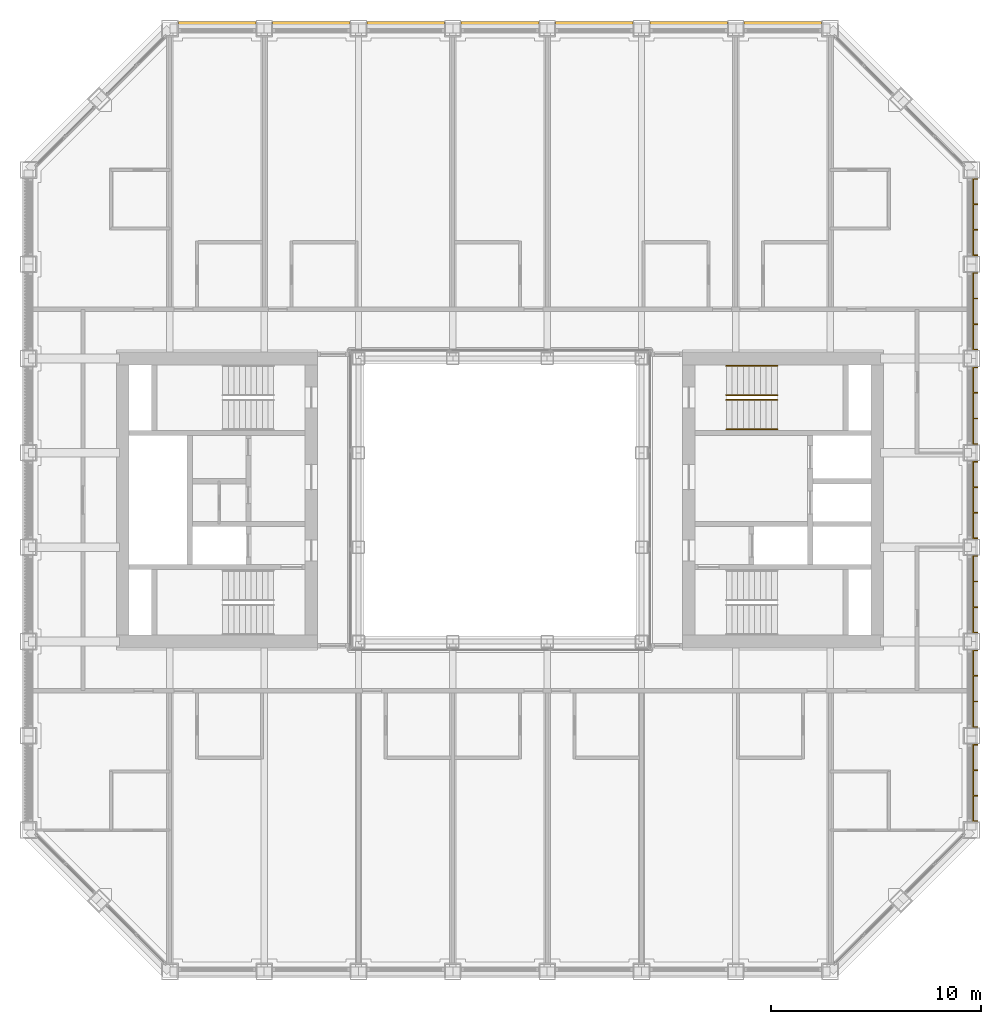
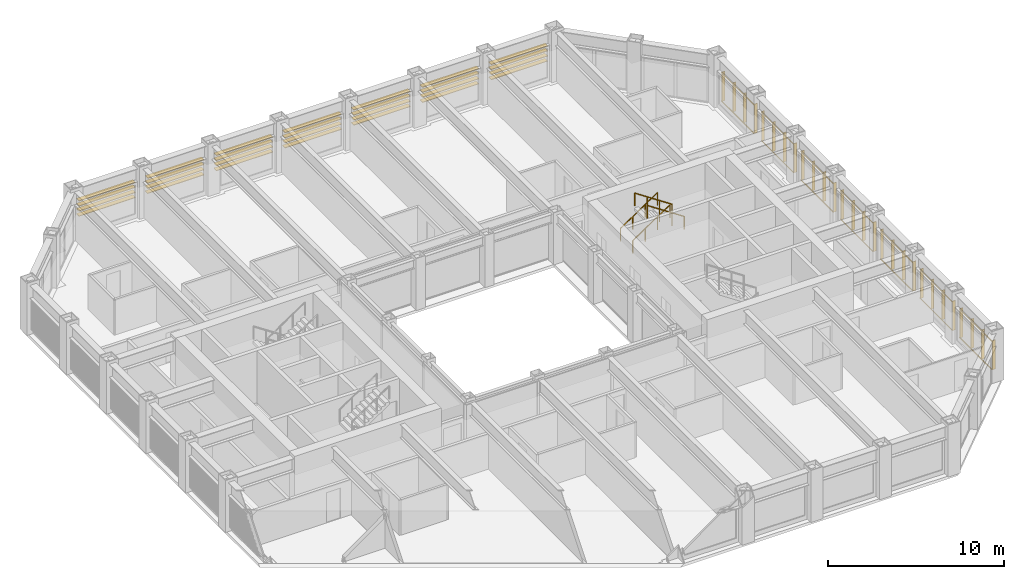
# One storey, part 17 of 17: 4 railings, 2 shading devices.
"""IFC4 building model written with IfcOpenShell, lengths in metres."""

from ifc_helpers import new_model, si_unit, direction, frame, origin, origin_2d, place, context, subcontext, project, spatial, rectangle, circle, extrude, material, type_object, element, save


model = new_model("IFC4")

# Units and contexts
model_context = context("Model", 3, precision=1e-05, world=origin(), true_north=direction((0.0, 1.0)))
body_context = subcontext(model_context, "Body", "Model", "MODEL_VIEW")
ifc_project = project(units=[si_unit("LENGTHUNIT", "METRE"), si_unit("AREAUNIT", "SQUARE_METRE"), si_unit("VOLUMEUNIT", "CUBIC_METRE"), si_unit("PLANEANGLEUNIT", "RADIAN"), si_unit("MASSUNIT", "GRAM", prefix="KILO")], contexts=[model_context])

# Site, building, storey
site_placement = place(None, origin())
site = spatial("IfcSite", under=ifc_project, at=site_placement, CompositionType="ELEMENT")
building_placement = place(site_placement, origin())
building = spatial("IfcBuilding", under=site, at=building_placement, Name="Msasa Ring Tower", CompositionType="ELEMENT")
storey_placement = place(building_placement, frame((0.0, 0.0, 158.0)))
storey = spatial("IfcBuildingStorey", under=building, at=storey_placement, Name="L41", CompositionType="ELEMENT", Elevation=158.0)

# Shading device
ifc_material_1 = material(Name="Extruded terracotta on aluminium carriers", Category="masonry")
shading_device_type_1 = type_object("IfcShadingDeviceType", Name="BS2 TERRACOTTA FIN SCREEN 40x200 AT 1350", PredefinedType="USERDEFINED", material=ifc_material_1)
shading_device_1_placement = place(storey_placement, origin())
element("IfcShadingDevice", 1, at=shading_device_1_placement, inside=storey, type_object=shading_device_type_1, Name="Terracotta fin screen E L41", ObjectType="BAGUETTE", PredefinedType="USERDEFINED", context=body_context, shape_type="SweptSolid", body=[
    extrude(rectangle(XDim=0.06005859375, YDim=0.0400390625, at=origin_2d()), frame((22.580078125, -15.35009765625, 0.330078125), z_axis=(0.0, 1.0, 0.0), x_axis=(0.0, 0.0, 1.0)), (0.0, 0.0, 1.0), 3.699951171875),
    extrude(rectangle(XDim=0.06005859375, YDim=0.0400390625, at=origin_2d()), frame((22.580078125, -15.35009765625, 2.299072265625), z_axis=(0.0, 1.0, 0.0), x_axis=(0.0, 0.0, 1.0)), (0.0, 0.0, 1.0), 3.699951171875),
    extrude(rectangle(XDim=0.0400390625, YDim=0.199951171875, at=origin_2d()), frame((22.695068359375, -15.330078125, 0.300048828125), z_axis=(0.0, 0.0, 1.0), x_axis=(0.0, 1.0, 0.0)), (0.0, 0.0, 1.0), 2.029052734375),
    extrude(rectangle(XDim=0.0400390625, YDim=0.199951171875, at=origin_2d()), frame((22.695068359375, -14.110107421875, 0.300048828125), z_axis=(0.0, 0.0, 1.0), x_axis=(0.0, 1.0, 0.0)), (0.0, 0.0, 1.0), 2.029052734375),
    extrude(rectangle(XDim=0.0400390625, YDim=0.199951171875, at=origin_2d()), frame((22.695068359375, -12.889892578125, 0.300048828125), z_axis=(0.0, 0.0, 1.0), x_axis=(0.0, 1.0, 0.0)), (0.0, 0.0, 1.0), 2.029052734375),
    extrude(rectangle(XDim=0.0400390625, YDim=0.199951171875, at=origin_2d()), frame((22.695068359375, -11.669921875, 0.300048828125), z_axis=(0.0, 0.0, 1.0), x_axis=(0.0, 1.0, 0.0)), (0.0, 0.0, 1.0), 2.029052734375),
    extrude(rectangle(XDim=0.06005859375, YDim=0.0400390625, at=origin_2d()), frame((22.580078125, -10.85009765625, 0.330078125), z_axis=(0.0, 1.0, 0.0), x_axis=(0.0, 0.0, 1.0)), (0.0, 0.0, 1.0), 3.699951171875),
    extrude(rectangle(XDim=0.06005859375, YDim=0.0400390625, at=origin_2d()), frame((22.580078125, -10.85009765625, 2.299072265625), z_axis=(0.0, 1.0, 0.0), x_axis=(0.0, 0.0, 1.0)), (0.0, 0.0, 1.0), 3.699951171875),
    extrude(rectangle(XDim=0.0400390625, YDim=0.199951171875, at=origin_2d()), frame((22.695068359375, -10.830078125, 0.300048828125), z_axis=(0.0, 0.0, 1.0), x_axis=(0.0, 1.0, 0.0)), (0.0, 0.0, 1.0), 2.029052734375),
    extrude(rectangle(XDim=0.0400390625, YDim=0.199951171875, at=origin_2d()), frame((22.695068359375, -9.610107421875, 0.300048828125), z_axis=(0.0, 0.0, 1.0), x_axis=(0.0, 1.0, 0.0)), (0.0, 0.0, 1.0), 2.029052734375),
    extrude(rectangle(XDim=0.0400390625, YDim=0.199951171875, at=origin_2d()), frame((22.695068359375, -8.389892578125, 0.300048828125), z_axis=(0.0, 0.0, 1.0), x_axis=(0.0, 1.0, 0.0)), (0.0, 0.0, 1.0), 2.029052734375),
    extrude(rectangle(XDim=0.0400390625, YDim=0.199951171875, at=origin_2d()), frame((22.695068359375, -7.169921875, 0.300048828125), z_axis=(0.0, 0.0, 1.0), x_axis=(0.0, 1.0, 0.0)), (0.0, 0.0, 1.0), 2.029052734375),
    extrude(rectangle(XDim=0.06005859375, YDim=0.0400390625, at=origin_2d()), frame((22.580078125, -6.35009765625, 0.330078125), z_axis=(0.0, 1.0, 0.0), x_axis=(0.0, 0.0, 1.0)), (0.0, 0.0, 1.0), 3.699951171875),
    extrude(rectangle(XDim=0.06005859375, YDim=0.0400390625, at=origin_2d()), frame((22.580078125, -6.35009765625, 2.299072265625), z_axis=(0.0, 1.0, 0.0), x_axis=(0.0, 0.0, 1.0)), (0.0, 0.0, 1.0), 3.699951171875),
    extrude(rectangle(XDim=0.0400390625, YDim=0.199951171875, at=origin_2d()), frame((22.695068359375, -6.330078125, 0.300048828125), z_axis=(0.0, 0.0, 1.0), x_axis=(0.0, 1.0, 0.0)), (0.0, 0.0, 1.0), 2.029052734375),
    extrude(rectangle(XDim=0.0400390625, YDim=0.199951171875, at=origin_2d()), frame((22.695068359375, -5.110107421875, 0.300048828125), z_axis=(0.0, 0.0, 1.0), x_axis=(0.0, 1.0, 0.0)), (0.0, 0.0, 1.0), 2.029052734375),
    extrude(rectangle(XDim=0.0400390625, YDim=0.199951171875, at=origin_2d()), frame((22.695068359375, -3.889892578125, 0.300048828125), z_axis=(0.0, 0.0, 1.0), x_axis=(0.0, 1.0, 0.0)), (0.0, 0.0, 1.0), 2.029052734375),
    extrude(rectangle(XDim=0.0400390625, YDim=0.199951171875, at=origin_2d()), frame((22.695068359375, -2.669921875, 0.300048828125), z_axis=(0.0, 0.0, 1.0), x_axis=(0.0, 1.0, 0.0)), (0.0, 0.0, 1.0), 2.029052734375),
    extrude(rectangle(XDim=0.06005859375, YDim=0.0400390625, at=origin_2d()), frame((22.580078125, -1.85009765625, 0.330078125), z_axis=(0.0, 1.0, 0.0), x_axis=(0.0, 0.0, 1.0)), (0.0, 0.0, 1.0), 3.699951171875),
    extrude(rectangle(XDim=0.06005859375, YDim=0.0400390625, at=origin_2d()), frame((22.580078125, -1.85009765625, 2.299072265625), z_axis=(0.0, 1.0, 0.0), x_axis=(0.0, 0.0, 1.0)), (0.0, 0.0, 1.0), 3.699951171875),
    extrude(rectangle(XDim=0.0400390625, YDim=0.199951171875, at=origin_2d()), frame((22.695068359375, -1.830078125, 0.300048828125), z_axis=(0.0, 0.0, 1.0), x_axis=(0.0, 1.0, 0.0)), (0.0, 0.0, 1.0), 2.029052734375),
    extrude(rectangle(XDim=0.0400390625, YDim=0.199951171875, at=origin_2d()), frame((22.695068359375, -0.610107421875, 0.300048828125), z_axis=(0.0, 0.0, 1.0), x_axis=(0.0, 1.0, 0.0)), (0.0, 0.0, 1.0), 2.029052734375),
    extrude(rectangle(XDim=0.0400390625, YDim=0.199951171875, at=origin_2d()), frame((22.695068359375, 0.610107421875, 0.300048828125), z_axis=(0.0, 0.0, 1.0), x_axis=(0.0, 1.0, 0.0)), (0.0, 0.0, 1.0), 2.029052734375),
    extrude(rectangle(XDim=0.0400390625, YDim=0.199951171875, at=origin_2d()), frame((22.695068359375, 1.830078125, 0.300048828125), z_axis=(0.0, 0.0, 1.0), x_axis=(0.0, 1.0, 0.0)), (0.0, 0.0, 1.0), 2.029052734375),
    extrude(rectangle(XDim=0.06005859375, YDim=0.0400390625, at=origin_2d()), frame((22.580078125, 2.64990234375, 0.330078125), z_axis=(0.0, 1.0, 0.0), x_axis=(0.0, 0.0, 1.0)), (0.0, 0.0, 1.0), 3.699951171875),
    extrude(rectangle(XDim=0.06005859375, YDim=0.0400390625, at=origin_2d()), frame((22.580078125, 2.64990234375, 2.299072265625), z_axis=(0.0, 1.0, 0.0), x_axis=(0.0, 0.0, 1.0)), (0.0, 0.0, 1.0), 3.699951171875),
    extrude(rectangle(XDim=0.0400390625, YDim=0.199951171875, at=origin_2d()), frame((22.695068359375, 2.669921875, 0.300048828125), z_axis=(0.0, 0.0, 1.0), x_axis=(0.0, 1.0, 0.0)), (0.0, 0.0, 1.0), 2.029052734375),
    extrude(rectangle(XDim=0.0400390625, YDim=0.199951171875, at=origin_2d()), frame((22.695068359375, 3.889892578125, 0.300048828125), z_axis=(0.0, 0.0, 1.0), x_axis=(0.0, 1.0, 0.0)), (0.0, 0.0, 1.0), 2.029052734375),
    extrude(rectangle(XDim=0.0400390625, YDim=0.199951171875, at=origin_2d()), frame((22.695068359375, 5.110107421875, 0.300048828125), z_axis=(0.0, 0.0, 1.0), x_axis=(0.0, 1.0, 0.0)), (0.0, 0.0, 1.0), 2.029052734375),
    extrude(rectangle(XDim=0.0400390625, YDim=0.199951171875, at=origin_2d()), frame((22.695068359375, 6.330078125, 0.300048828125), z_axis=(0.0, 0.0, 1.0), x_axis=(0.0, 1.0, 0.0)), (0.0, 0.0, 1.0), 2.029052734375),
    extrude(rectangle(XDim=0.06005859375, YDim=0.0400390625, at=origin_2d()), frame((22.580078125, 7.14990234375, 0.330078125), z_axis=(0.0, 1.0, 0.0), x_axis=(0.0, 0.0, 1.0)), (0.0, 0.0, 1.0), 3.699951171875),
    extrude(rectangle(XDim=0.06005859375, YDim=0.0400390625, at=origin_2d()), frame((22.580078125, 7.14990234375, 2.299072265625), z_axis=(0.0, 1.0, 0.0), x_axis=(0.0, 0.0, 1.0)), (0.0, 0.0, 1.0), 3.699951171875),
    extrude(rectangle(XDim=0.0400390625, YDim=0.199951171875, at=origin_2d()), frame((22.695068359375, 7.169921875, 0.300048828125), z_axis=(0.0, 0.0, 1.0), x_axis=(0.0, 1.0, 0.0)), (0.0, 0.0, 1.0), 2.029052734375),
    extrude(rectangle(XDim=0.0400390625, YDim=0.199951171875, at=origin_2d()), frame((22.695068359375, 8.389892578125, 0.300048828125), z_axis=(0.0, 0.0, 1.0), x_axis=(0.0, 1.0, 0.0)), (0.0, 0.0, 1.0), 2.029052734375),
    extrude(rectangle(XDim=0.0400390625, YDim=0.199951171875, at=origin_2d()), frame((22.695068359375, 9.610107421875, 0.300048828125), z_axis=(0.0, 0.0, 1.0), x_axis=(0.0, 1.0, 0.0)), (0.0, 0.0, 1.0), 2.029052734375),
    extrude(rectangle(XDim=0.0400390625, YDim=0.199951171875, at=origin_2d()), frame((22.695068359375, 10.830078125, 0.300048828125), z_axis=(0.0, 0.0, 1.0), x_axis=(0.0, 1.0, 0.0)), (0.0, 0.0, 1.0), 2.029052734375),
    extrude(rectangle(XDim=0.06005859375, YDim=0.0400390625, at=origin_2d()), frame((22.580078125, 11.64990234375, 0.330078125), z_axis=(0.0, 1.0, 0.0), x_axis=(0.0, 0.0, 1.0)), (0.0, 0.0, 1.0), 3.699951171875),
    extrude(rectangle(XDim=0.06005859375, YDim=0.0400390625, at=origin_2d()), frame((22.580078125, 11.64990234375, 2.299072265625), z_axis=(0.0, 1.0, 0.0), x_axis=(0.0, 0.0, 1.0)), (0.0, 0.0, 1.0), 3.699951171875),
    extrude(rectangle(XDim=0.0400390625, YDim=0.199951171875, at=origin_2d()), frame((22.695068359375, 11.669921875, 0.300048828125), z_axis=(0.0, 0.0, 1.0), x_axis=(0.0, 1.0, 0.0)), (0.0, 0.0, 1.0), 2.029052734375),
    extrude(rectangle(XDim=0.0400390625, YDim=0.199951171875, at=origin_2d()), frame((22.695068359375, 12.889892578125, 0.300048828125), z_axis=(0.0, 0.0, 1.0), x_axis=(0.0, 1.0, 0.0)), (0.0, 0.0, 1.0), 2.029052734375),
    extrude(rectangle(XDim=0.0400390625, YDim=0.199951171875, at=origin_2d()), frame((22.695068359375, 14.110107421875, 0.300048828125), z_axis=(0.0, 0.0, 1.0), x_axis=(0.0, 1.0, 0.0)), (0.0, 0.0, 1.0), 2.029052734375),
    extrude(rectangle(XDim=0.0400390625, YDim=0.199951171875, at=origin_2d()), frame((22.695068359375, 15.330078125, 0.300048828125), z_axis=(0.0, 0.0, 1.0), x_axis=(0.0, 1.0, 0.0)), (0.0, 0.0, 1.0), 2.029052734375),
])

# Railings
ifc_material_2 = material(Name="Stainless steel", Category="steel")
railing_type = type_object("IfcRailingType", Name="HR1 HANDRAIL 900", PredefinedType="HANDRAIL", material=ifc_material_2)
for number, where, name in (
    (2, (10.800048828125, 5.0, 0.179931640625), "Handrail stair SEB L41 1"),
    (3, (10.800048828125, 6.39990234375, 0.179931640625), "Handrail stair SEB L41 2"),
):
    element("IfcRailing", number, at=place(storey_placement, frame(where)), inside=storey, type_object=railing_type, Name=name, PredefinedType="HANDRAIL", context=body_context, shape_type="SweptSolid", body=[
        extrude(circle(Radius=0.02392578125, at=origin_2d()), frame((0.0, 0.0, 0.8759765625), z_axis=(0.832024571796, 0.0, 0.554738778101), x_axis=(0.0, 1.0, 0.0)), (0.0, 0.0, 1.0), 2.92041015625),
        extrude(circle(Radius=0.02099609375, at=origin_2d()), origin(), (0.0, 0.0, 1.0), 0.851806640625),
        extrude(circle(Radius=0.02099609375, at=origin_2d()), frame((0.81005859375, 0.0, 0.5400390625)), (0.0, 0.0, 1.0), 0.851806640625),
        extrude(circle(Radius=0.02099609375, at=origin_2d()), frame((1.619873046875, 0.0, 1.080078125)), (0.0, 0.0, 1.0), 0.851806640625),
        extrude(circle(Radius=0.02099609375, at=origin_2d()), frame((2.429931640625, 0.0, 1.6201171875)), (0.0, 0.0, 1.0), 0.851806640625),
    ])
for number, where, name in (
    (4, (13.22998046875, 3.375, 1.97998046875), "Handrail stair SEB L41 3"),
    (5, (13.22998046875, 4.77490234375, 1.97998046875), "Handrail stair SEB L41 4"),
):
    element("IfcRailing", number, at=place(storey_placement, frame(where)), inside=storey, type_object=railing_type, Name=name, PredefinedType="HANDRAIL", context=body_context, shape_type="SweptSolid", body=[
        extrude(circle(Radius=0.02392578125, at=origin_2d()), frame((0.0, 0.0, 0.8759765625), z_axis=(-0.832024571796, 0.0, 0.554738778101), x_axis=(0.0, -1.0, 0.0)), (0.0, 0.0, 1.0), 2.92041015625),
        extrude(circle(Radius=0.02099609375, at=origin_2d()), origin(), (0.0, 0.0, 1.0), 0.851806640625),
        extrude(circle(Radius=0.02099609375, at=origin_2d()), frame((-0.81005859375, 0.0, 0.5400390625)), (0.0, 0.0, 1.0), 0.851806640625),
        extrude(circle(Radius=0.02099609375, at=origin_2d()), frame((-1.619873046875, 0.0, 1.080078125)), (0.0, 0.0, 1.0), 0.851806640625),
        extrude(circle(Radius=0.02099609375, at=origin_2d()), frame((-2.429931640625, 0.0, 1.6201171875)), (0.0, 0.0, 1.0), 0.851806640625),
    ])

# Shading device
ifc_material_3 = material(Name="Extruded terracotta blades", Category="masonry")
shading_device_type_2 = type_object("IfcShadingDeviceType", Name="SS1 TERRACOTTA SUNSHADE 4 BLADES 300x40 AT 350", PredefinedType="USERDEFINED", material=ifc_material_3)
shading_device_2_placement = place(storey_placement, origin())
element("IfcShadingDevice", 6, at=shading_device_2_placement, inside=storey, type_object=shading_device_type_2, Name="Terracotta sunshade N L41", ObjectType="SUNSHADE", PredefinedType="USERDEFINED", context=body_context, shape_type="SweptSolid", body=[
    extrude(rectangle(XDim=0.0400390625, YDim=0.300048828125, at=origin_2d()), frame((-15.35009765625, 22.679931640625, 2.30908203125), z_axis=(1.0, 0.0, 0.0), x_axis=(0.0, 0.0, 1.0)), (0.0, 0.0, 1.0), 3.699951171875),
    extrude(rectangle(XDim=0.0400390625, YDim=0.300048828125, at=origin_2d()), frame((-15.35009765625, 22.679931640625, 1.958984375), z_axis=(1.0, 0.0, 0.0), x_axis=(0.0, 0.0, 1.0)), (0.0, 0.0, 1.0), 3.699951171875),
    extrude(rectangle(XDim=0.0400390625, YDim=0.300048828125, at=origin_2d()), frame((-15.35009765625, 22.679931640625, 1.60888671875), z_axis=(1.0, 0.0, 0.0), x_axis=(0.0, 0.0, 1.0)), (0.0, 0.0, 1.0), 3.699951171875),
    extrude(rectangle(XDim=0.0400390625, YDim=0.300048828125, at=origin_2d()), frame((-15.35009765625, 22.679931640625, 1.259033203125), z_axis=(1.0, 0.0, 0.0), x_axis=(0.0, 0.0, 1.0)), (0.0, 0.0, 1.0), 3.699951171875),
    extrude(rectangle(XDim=0.0400390625, YDim=0.300048828125, at=origin_2d()), frame((-10.85009765625, 22.679931640625, 2.30908203125), z_axis=(1.0, 0.0, 0.0), x_axis=(0.0, 0.0, 1.0)), (0.0, 0.0, 1.0), 3.699951171875),
    extrude(rectangle(XDim=0.0400390625, YDim=0.300048828125, at=origin_2d()), frame((-10.85009765625, 22.679931640625, 1.958984375), z_axis=(1.0, 0.0, 0.0), x_axis=(0.0, 0.0, 1.0)), (0.0, 0.0, 1.0), 3.699951171875),
    extrude(rectangle(XDim=0.0400390625, YDim=0.300048828125, at=origin_2d()), frame((-10.85009765625, 22.679931640625, 1.60888671875), z_axis=(1.0, 0.0, 0.0), x_axis=(0.0, 0.0, 1.0)), (0.0, 0.0, 1.0), 3.699951171875),
    extrude(rectangle(XDim=0.0400390625, YDim=0.300048828125, at=origin_2d()), frame((-10.85009765625, 22.679931640625, 1.259033203125), z_axis=(1.0, 0.0, 0.0), x_axis=(0.0, 0.0, 1.0)), (0.0, 0.0, 1.0), 3.699951171875),
    extrude(rectangle(XDim=0.0400390625, YDim=0.300048828125, at=origin_2d()), frame((-6.35009765625, 22.679931640625, 2.30908203125), z_axis=(1.0, 0.0, 0.0), x_axis=(0.0, 0.0, 1.0)), (0.0, 0.0, 1.0), 3.699951171875),
    extrude(rectangle(XDim=0.0400390625, YDim=0.300048828125, at=origin_2d()), frame((-6.35009765625, 22.679931640625, 1.958984375), z_axis=(1.0, 0.0, 0.0), x_axis=(0.0, 0.0, 1.0)), (0.0, 0.0, 1.0), 3.699951171875),
    extrude(rectangle(XDim=0.0400390625, YDim=0.300048828125, at=origin_2d()), frame((-6.35009765625, 22.679931640625, 1.60888671875), z_axis=(1.0, 0.0, 0.0), x_axis=(0.0, 0.0, 1.0)), (0.0, 0.0, 1.0), 3.699951171875),
    extrude(rectangle(XDim=0.0400390625, YDim=0.300048828125, at=origin_2d()), frame((-6.35009765625, 22.679931640625, 1.259033203125), z_axis=(1.0, 0.0, 0.0), x_axis=(0.0, 0.0, 1.0)), (0.0, 0.0, 1.0), 3.699951171875),
    extrude(rectangle(XDim=0.0400390625, YDim=0.300048828125, at=origin_2d()), frame((-1.85009765625, 22.679931640625, 2.30908203125), z_axis=(1.0, 0.0, 0.0), x_axis=(0.0, 0.0, 1.0)), (0.0, 0.0, 1.0), 3.699951171875),
    extrude(rectangle(XDim=0.0400390625, YDim=0.300048828125, at=origin_2d()), frame((-1.85009765625, 22.679931640625, 1.958984375), z_axis=(1.0, 0.0, 0.0), x_axis=(0.0, 0.0, 1.0)), (0.0, 0.0, 1.0), 3.699951171875),
    extrude(rectangle(XDim=0.0400390625, YDim=0.300048828125, at=origin_2d()), frame((-1.85009765625, 22.679931640625, 1.60888671875), z_axis=(1.0, 0.0, 0.0), x_axis=(0.0, 0.0, 1.0)), (0.0, 0.0, 1.0), 3.699951171875),
    extrude(rectangle(XDim=0.0400390625, YDim=0.300048828125, at=origin_2d()), frame((-1.85009765625, 22.679931640625, 1.259033203125), z_axis=(1.0, 0.0, 0.0), x_axis=(0.0, 0.0, 1.0)), (0.0, 0.0, 1.0), 3.699951171875),
    extrude(rectangle(XDim=0.0400390625, YDim=0.300048828125, at=origin_2d()), frame((2.64990234375, 22.679931640625, 2.30908203125), z_axis=(1.0, 0.0, 0.0), x_axis=(0.0, 0.0, 1.0)), (0.0, 0.0, 1.0), 3.699951171875),
    extrude(rectangle(XDim=0.0400390625, YDim=0.300048828125, at=origin_2d()), frame((2.64990234375, 22.679931640625, 1.958984375), z_axis=(1.0, 0.0, 0.0), x_axis=(0.0, 0.0, 1.0)), (0.0, 0.0, 1.0), 3.699951171875),
    extrude(rectangle(XDim=0.0400390625, YDim=0.300048828125, at=origin_2d()), frame((2.64990234375, 22.679931640625, 1.60888671875), z_axis=(1.0, 0.0, 0.0), x_axis=(0.0, 0.0, 1.0)), (0.0, 0.0, 1.0), 3.699951171875),
    extrude(rectangle(XDim=0.0400390625, YDim=0.300048828125, at=origin_2d()), frame((2.64990234375, 22.679931640625, 1.259033203125), z_axis=(1.0, 0.0, 0.0), x_axis=(0.0, 0.0, 1.0)), (0.0, 0.0, 1.0), 3.699951171875),
    extrude(rectangle(XDim=0.0400390625, YDim=0.300048828125, at=origin_2d()), frame((7.14990234375, 22.679931640625, 2.30908203125), z_axis=(1.0, 0.0, 0.0), x_axis=(0.0, 0.0, 1.0)), (0.0, 0.0, 1.0), 3.699951171875),
    extrude(rectangle(XDim=0.0400390625, YDim=0.300048828125, at=origin_2d()), frame((7.14990234375, 22.679931640625, 1.958984375), z_axis=(1.0, 0.0, 0.0), x_axis=(0.0, 0.0, 1.0)), (0.0, 0.0, 1.0), 3.699951171875),
    extrude(rectangle(XDim=0.0400390625, YDim=0.300048828125, at=origin_2d()), frame((7.14990234375, 22.679931640625, 1.60888671875), z_axis=(1.0, 0.0, 0.0), x_axis=(0.0, 0.0, 1.0)), (0.0, 0.0, 1.0), 3.699951171875),
    extrude(rectangle(XDim=0.0400390625, YDim=0.300048828125, at=origin_2d()), frame((7.14990234375, 22.679931640625, 1.259033203125), z_axis=(1.0, 0.0, 0.0), x_axis=(0.0, 0.0, 1.0)), (0.0, 0.0, 1.0), 3.699951171875),
    extrude(rectangle(XDim=0.0400390625, YDim=0.300048828125, at=origin_2d()), frame((11.64990234375, 22.679931640625, 2.30908203125), z_axis=(1.0, 0.0, 0.0), x_axis=(0.0, 0.0, 1.0)), (0.0, 0.0, 1.0), 3.699951171875),
    extrude(rectangle(XDim=0.0400390625, YDim=0.300048828125, at=origin_2d()), frame((11.64990234375, 22.679931640625, 1.958984375), z_axis=(1.0, 0.0, 0.0), x_axis=(0.0, 0.0, 1.0)), (0.0, 0.0, 1.0), 3.699951171875),
    extrude(rectangle(XDim=0.0400390625, YDim=0.300048828125, at=origin_2d()), frame((11.64990234375, 22.679931640625, 1.60888671875), z_axis=(1.0, 0.0, 0.0), x_axis=(0.0, 0.0, 1.0)), (0.0, 0.0, 1.0), 3.699951171875),
    extrude(rectangle(XDim=0.0400390625, YDim=0.300048828125, at=origin_2d()), frame((11.64990234375, 22.679931640625, 1.259033203125), z_axis=(1.0, 0.0, 0.0), x_axis=(0.0, 0.0, 1.0)), (0.0, 0.0, 1.0), 3.699951171875),
])

save(model, "model.ifc")
